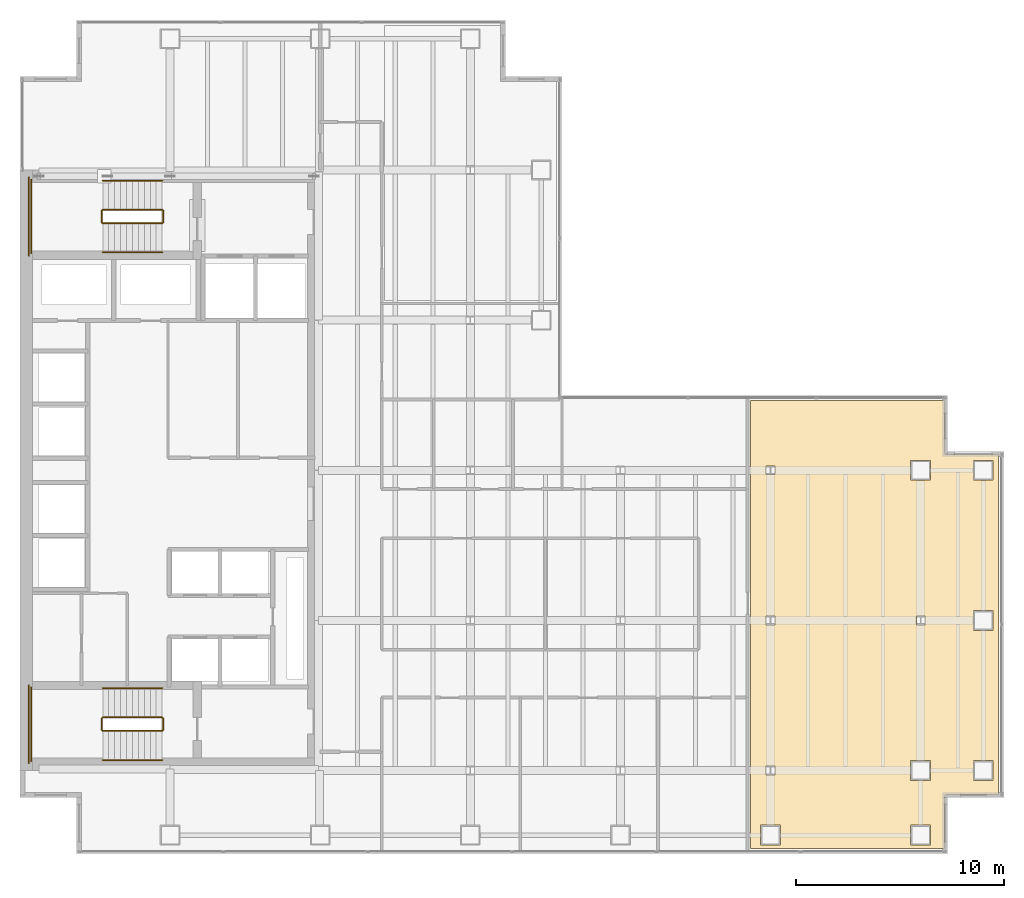
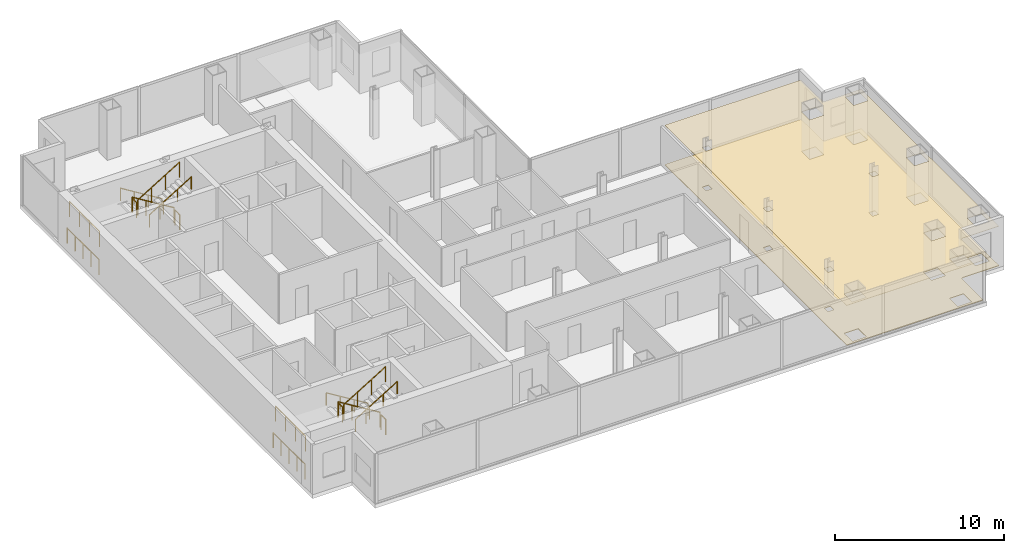
# One storey, part 23 of 24: 16 railings, 2 coverings.
"""IFC4 building model written with IfcOpenShell, lengths in metres."""

from ifc_helpers import new_model, si_unit, direction, frame, origin, origin_2d, place, context, subcontext, project, spatial, polyline, circle, outline, extrude, material, layer, layer_set, type_object, element, save


model = new_model("IFC4")

# Units and contexts
model_context = context("Model", 3, precision=1e-05, world=origin(), true_north=direction((0.0, 1.0)))
body_context = subcontext(model_context, "Body", "Model", "MODEL_VIEW")
ifc_project = project(units=[si_unit("LENGTHUNIT", "METRE"), si_unit("AREAUNIT", "SQUARE_METRE"), si_unit("VOLUMEUNIT", "CUBIC_METRE"), si_unit("PLANEANGLEUNIT", "RADIAN"), si_unit("MASSUNIT", "GRAM", prefix="KILO")], contexts=[model_context])

# Site, building, storey
site_placement = place(None, origin())
site = spatial("IfcSite", under=ifc_project, at=site_placement, CompositionType="ELEMENT")
building_placement = place(site_placement, origin())
building = spatial("IfcBuilding", under=site, at=building_placement, Name="Cobrela Telecom Tower", CompositionType="ELEMENT")
storey_placement = place(building_placement, frame((0.0, 0.0, 106.050048828125)))
storey = spatial("IfcBuildingStorey", under=building, at=storey_placement, Name="L26", CompositionType="ELEMENT", Elevation=106.050048828125)

# Coverings
ifc_material_1 = material(Name="Mineral Fibre Acoustic Ceiling Tile")
ifc_layer_1 = layer(ifc_material_1, 0.02490234375)
ifc_layer_set_1 = layer_set([ifc_layer_1], Name="Mineral Fibre Acoustic Ceiling Tile")
covering_type_1 = type_object("IfcCoveringType", Name="COV-CEIL-ACT", PredefinedType="CEILING", material=ifc_layer_set_1)
covering_1_placement = place(storey_placement, frame((0.0, 0.0, 2.85986328125)))
element("IfcCovering", 1, at=covering_1_placement, inside=storey, type_object=covering_type_1, Name="L26 Systems Engineering Studio 7 Suspended Acoustic Ceiling", PredefinedType="CEILING", context=body_context, shape_type="SweptSolid", body=[
    extrude(outline(polyline([(44.462646484375, 6.04736328125), (44.449462890625, 6.0439453125), (44.436279296875, 6.039306640625), (44.424072265625, 6.033447265625), (44.412109375, 6.0263671875), (44.401123046875, 6.018310546875), (44.39111328125, 6.009033203125), (44.381591796875, 5.998779296875), (44.37353515625, 5.98779296875), (44.366455078125, 5.97607421875), (44.360595703125, 5.963623046875), (44.35595703125, 5.95068359375), (44.3525390625, 5.937255859375), (44.3505859375, 5.923583984375), (44.35009765625, 5.910888671875), (44.35009765625, 3.4599609375), (35.0400390625, 3.4599609375), (35.0400390625, 24.93994140625), (44.35009765625, 24.93994140625), (44.35009765625, 22.489013671875), (44.3505859375, 22.476318359375), (44.3525390625, 22.462646484375), (44.35595703125, 22.449462890625), (44.360595703125, 22.436279296875), (44.366455078125, 22.424072265625), (44.37353515625, 22.412109375), (44.381591796875, 22.401123046875), (44.39111328125, 22.39111328125), (44.401123046875, 22.381591796875), (44.412109375, 22.37353515625), (44.424072265625, 22.366455078125), (44.436279296875, 22.360595703125), (44.449462890625, 22.35595703125), (44.462646484375, 22.3525390625), (44.476318359375, 22.3505859375), (44.489013671875, 22.35009765625), (46.93994140625, 22.35009765625), (46.93994140625, 6.050048828125), (44.489013671875, 6.050048828125), (44.476318359375, 6.04931640625), (44.462646484375, 6.04736328125)]), holes=[polyline([(36.47509765625, 3.625), (36.47509765625, 4.574951171875), (35.52490234375, 4.574951171875), (35.52490234375, 3.625), (36.47509765625, 3.625)]), polyline([(43.675048828125, 3.625), (43.675048828125, 4.574951171875), (42.72509765625, 4.574951171875), (42.72509765625, 3.625), (43.675048828125, 3.625)]), polyline([(36.20458984375, 6.988037109375), (36.20458984375, 7.412109375), (35.79541015625, 7.412109375), (35.79541015625, 6.988037109375), (36.20458984375, 6.988037109375)]), polyline([(43.675048828125, 6.72509765625), (43.675048828125, 7.675048828125), (42.72509765625, 7.675048828125), (42.72509765625, 6.72509765625), (43.675048828125, 6.72509765625)]), polyline([(46.675048828125, 6.72509765625), (46.675048828125, 7.675048828125), (45.72509765625, 7.675048828125), (45.72509765625, 6.72509765625), (46.675048828125, 6.72509765625)]), polyline([(36.20458984375, 14.612060546875), (35.79541015625, 14.612060546875), (35.79541015625, 14.18798828125), (36.20458984375, 14.18798828125), (36.20458984375, 14.612060546875)]), polyline([(43.404541015625, 14.18798828125), (43.404541015625, 14.612060546875), (42.99560546875, 14.612060546875), (42.99560546875, 14.18798828125), (43.404541015625, 14.18798828125)]), polyline([(46.675048828125, 13.925048828125), (46.675048828125, 14.875), (45.72509765625, 14.875), (45.72509765625, 13.925048828125), (46.675048828125, 13.925048828125)]), polyline([(36.20458984375, 21.387939453125), (36.20458984375, 21.81201171875), (35.79541015625, 21.81201171875), (35.79541015625, 21.387939453125), (36.20458984375, 21.387939453125)]), polyline([(43.675048828125, 21.125), (43.675048828125, 22.074951171875), (42.72509765625, 22.074951171875), (42.72509765625, 21.125), (43.675048828125, 21.125)]), polyline([(46.675048828125, 21.125), (46.675048828125, 22.074951171875), (45.72509765625, 22.074951171875), (45.72509765625, 21.125), (46.675048828125, 21.125)])]), origin(), (0.0, 0.0, 1.0), 0.025146484375),
])
ifc_material_2 = material(Name="Honed Colombian Basalt Stone", Category="masonry")
ifc_layer_2 = layer(ifc_material_2, 0.0400390625)
ifc_layer_set_2 = layer_set([ifc_layer_2], Name="Honed Colombian Basalt Stone")
covering_type_2 = type_object("IfcCoveringType", Name="COV-FLR-STONE", PredefinedType="FLOORING", material=ifc_layer_set_2)
covering_2_placement = place(storey_placement, origin())
element("IfcCovering", 2, at=covering_2_placement, inside=storey, type_object=covering_type_2, Name="L26 Systems Engineering Studio 7 Raised Technical Flooring", PredefinedType="FLOORING", context=body_context, shape_type="SweptSolid", body=[
    extrude(outline(polyline([(44.462646484375, 6.04736328125), (44.449462890625, 6.0439453125), (44.436279296875, 6.039306640625), (44.424072265625, 6.033447265625), (44.412109375, 6.0263671875), (44.401123046875, 6.018310546875), (44.39111328125, 6.009033203125), (44.381591796875, 5.998779296875), (44.37353515625, 5.98779296875), (44.366455078125, 5.97607421875), (44.360595703125, 5.963623046875), (44.35595703125, 5.95068359375), (44.3525390625, 5.937255859375), (44.3505859375, 5.923583984375), (44.35009765625, 5.910888671875), (44.35009765625, 3.4599609375), (35.0400390625, 3.4599609375), (35.0400390625, 24.93994140625), (44.35009765625, 24.93994140625), (44.35009765625, 22.489013671875), (44.3505859375, 22.476318359375), (44.3525390625, 22.462646484375), (44.35595703125, 22.449462890625), (44.360595703125, 22.436279296875), (44.366455078125, 22.424072265625), (44.37353515625, 22.412109375), (44.381591796875, 22.401123046875), (44.39111328125, 22.39111328125), (44.401123046875, 22.381591796875), (44.412109375, 22.37353515625), (44.424072265625, 22.366455078125), (44.436279296875, 22.360595703125), (44.449462890625, 22.35595703125), (44.462646484375, 22.3525390625), (44.476318359375, 22.3505859375), (44.489013671875, 22.35009765625), (46.93994140625, 22.35009765625), (46.93994140625, 6.050048828125), (44.489013671875, 6.050048828125), (44.476318359375, 6.04931640625), (44.462646484375, 6.04736328125)]), holes=[polyline([(36.47509765625, 3.625), (36.47509765625, 4.574951171875), (35.52490234375, 4.574951171875), (35.52490234375, 3.625), (36.47509765625, 3.625)]), polyline([(43.675048828125, 3.625), (43.675048828125, 4.574951171875), (42.72509765625, 4.574951171875), (42.72509765625, 3.625), (43.675048828125, 3.625)]), polyline([(36.20458984375, 6.988037109375), (36.20458984375, 7.412109375), (35.79541015625, 7.412109375), (35.79541015625, 6.988037109375), (36.20458984375, 6.988037109375)]), polyline([(43.675048828125, 6.72509765625), (43.675048828125, 7.675048828125), (42.72509765625, 7.675048828125), (42.72509765625, 6.72509765625), (43.675048828125, 6.72509765625)]), polyline([(46.675048828125, 6.72509765625), (46.675048828125, 7.675048828125), (45.72509765625, 7.675048828125), (45.72509765625, 6.72509765625), (46.675048828125, 6.72509765625)]), polyline([(36.20458984375, 14.612060546875), (35.79541015625, 14.612060546875), (35.79541015625, 14.18798828125), (36.20458984375, 14.18798828125), (36.20458984375, 14.612060546875)]), polyline([(43.404541015625, 14.18798828125), (43.404541015625, 14.612060546875), (42.99560546875, 14.612060546875), (42.99560546875, 14.18798828125), (43.404541015625, 14.18798828125)]), polyline([(46.675048828125, 13.925048828125), (46.675048828125, 14.875), (45.72509765625, 14.875), (45.72509765625, 13.925048828125), (46.675048828125, 13.925048828125)]), polyline([(36.20458984375, 21.387939453125), (36.20458984375, 21.81201171875), (35.79541015625, 21.81201171875), (35.79541015625, 21.387939453125), (36.20458984375, 21.387939453125)]), polyline([(43.675048828125, 21.125), (43.675048828125, 22.074951171875), (42.72509765625, 22.074951171875), (42.72509765625, 21.125), (43.675048828125, 21.125)]), polyline([(46.675048828125, 21.125), (46.675048828125, 22.074951171875), (45.72509765625, 22.074951171875), (45.72509765625, 21.125), (46.675048828125, 21.125)])]), origin(), (0.0, 0.0, 1.0), 0.0400390625),
])

# Railings
ifc_material_3 = material(Name="Steel ASTM A36", Category="steel")
railing_type_1 = type_object("IfcRailingType", Name="RAIL-GUARD-1100", PredefinedType="GUARDRAIL", material=ifc_material_3)
railing_1_placement = place(storey_placement, frame((6.820068359375, 34.10009765625, 0.175048828125)))
element("IfcRailing", 3, at=railing_1_placement, inside=storey, type_object=railing_type_1, Name="L26 ST1 stair guard 1", PredefinedType="GUARDRAIL", context=body_context, shape_type="SweptSolid", body=[
    extrude(circle(Radius=0.02392578125, at=origin_2d()), frame((0.0, 0.0, 1.076171875), z_axis=(-0.852179220489, 0.0, 0.52325001306), x_axis=(0.0, -1.0, 0.0)), (0.0, 0.0, 1.0), 3.344482421875),
    extrude(circle(Radius=0.02099609375, at=origin_2d()), origin(), (0.0, 0.0, 1.0), 1.052001953125),
    extrude(circle(Radius=0.02099609375, at=origin_2d()), frame((-0.949951171875, 0.0, 0.583251953125)), (0.0, 0.0, 1.0), 1.052001953125),
    extrude(circle(Radius=0.02099609375, at=origin_2d()), frame((-1.900146484375, 0.0, 1.166748046875)), (0.0, 0.0, 1.0), 1.052001953125),
    extrude(circle(Radius=0.02099609375, at=origin_2d()), frame((-2.85009765625, 0.0, 1.75)), (0.0, 0.0, 1.0), 1.052001953125),
])
railing_2_placement = place(storey_placement, frame((3.919921875, 34.050048828125, 1.925048828125)))
element("IfcRailing", 4, at=railing_2_placement, inside=storey, type_object=railing_type_1, Name="L26 ST1 stair guard 2", PredefinedType="GUARDRAIL", context=body_context, shape_type="SweptSolid", body=[
    extrude(circle(Radius=0.02392578125, at=origin_2d()), frame((0.0, 0.0, 1.076171875), z_axis=(0.0, -1.0, 0.0), x_axis=(1.0, 0.0, 0.0)), (0.0, 0.0, 1.0), 0.550048828125),
    extrude(circle(Radius=0.02099609375, at=origin_2d()), origin(), (0.0, 0.0, 1.0), 1.052001953125),
    extrude(circle(Radius=0.02099609375, at=origin_2d()), frame((0.0, -0.550048828125, 0.0)), (0.0, 0.0, 1.0), 1.052001953125),
])
railing_3_placement = place(storey_placement, frame((0.530029296875, 35.550048828125, 1.925048828125)))
element("IfcRailing", 5, at=railing_3_placement, inside=storey, type_object=railing_type_1, Name="L26 ST1 stair guard 3", PredefinedType="GUARDRAIL", context=body_context, shape_type="SweptSolid", body=[
    extrude(circle(Radius=0.02392578125, at=origin_2d()), frame((0.0, 0.0, 1.076171875), z_axis=(0.0, -1.0, 0.0), x_axis=(1.0, 0.0, 0.0)), (0.0, 0.0, 1.0), 3.550048828125),
    extrude(circle(Radius=0.02099609375, at=origin_2d()), origin(), (0.0, 0.0, 1.0), 1.052001953125),
    extrude(circle(Radius=0.02099609375, at=origin_2d()), frame((0.0, -1.183349609375, 0.0)), (0.0, 0.0, 1.0), 1.052001953125),
    extrude(circle(Radius=0.02099609375, at=origin_2d()), frame((0.0, -2.36669921875, 0.0)), (0.0, 0.0, 1.0), 1.052001953125),
    extrude(circle(Radius=0.02099609375, at=origin_2d()), frame((0.0, -3.550048828125, 0.0)), (0.0, 0.0, 1.0), 1.052001953125),
])
railing_4_placement = place(storey_placement, frame((3.969970703125, 33.449951171875, 2.099853515625)))
element("IfcRailing", 6, at=railing_4_placement, inside=storey, type_object=railing_type_1, Name="L26 ST1 stair guard 4", PredefinedType="GUARDRAIL", context=body_context, shape_type="SweptSolid", body=[
    extrude(circle(Radius=0.02392578125, at=origin_2d()), frame((0.0, 0.0, 1.076171875), z_axis=(0.852179220489, 0.0, 0.52325001306), x_axis=(0.0, 1.0, 0.0)), (0.0, 0.0, 1.0), 3.344482421875),
    extrude(circle(Radius=0.02099609375, at=origin_2d()), origin(), (0.0, 0.0, 1.0), 1.052001953125),
    extrude(circle(Radius=0.02099609375, at=origin_2d()), frame((0.949951171875, 0.0, 0.583251953125)), (0.0, 0.0, 1.0), 1.052001953125),
    extrude(circle(Radius=0.02099609375, at=origin_2d()), frame((1.900146484375, 0.0, 1.166748046875)), (0.0, 0.0, 1.0), 1.052001953125),
    extrude(circle(Radius=0.02099609375, at=origin_2d()), frame((2.85009765625, 0.0, 1.75)), (0.0, 0.0, 1.0), 1.052001953125),
])
railing_5_placement = place(storey_placement, frame((6.8701171875, 34.050048828125, 0.0)))
element("IfcRailing", 7, at=railing_5_placement, inside=storey, type_object=railing_type_1, Name="L26 ST1 stair guard 5", PredefinedType="GUARDRAIL", context=body_context, shape_type="SweptSolid", body=[
    extrude(circle(Radius=0.02392578125, at=origin_2d()), frame((0.0, 0.0, 1.076171875), z_axis=(0.0, -1.0, 0.0), x_axis=(1.0, 0.0, 0.0)), (0.0, 0.0, 1.0), 0.550048828125),
    extrude(circle(Radius=0.02099609375, at=origin_2d()), origin(), (0.0, 0.0, 1.0), 1.052001953125),
    extrude(circle(Radius=0.02099609375, at=origin_2d()), frame((0.0, -0.550048828125, 0.0)), (0.0, 0.0, 1.0), 1.052001953125),
])
railing_6_placement = place(storey_placement, frame((0.429931640625, 35.64990234375, 0.0)))
element("IfcRailing", 8, at=railing_6_placement, inside=storey, type_object=railing_type_1, Name="L26 ST1 stair guard 6", PredefinedType="GUARDRAIL", context=body_context, shape_type="SweptSolid", body=[
    extrude(circle(Radius=0.02392578125, at=origin_2d()), frame((0.0, 0.0, 1.076171875), z_axis=(0.0, -1.0, 0.0), x_axis=(1.0, 0.0, 0.0)), (0.0, 0.0, 1.0), 3.75),
    extrude(circle(Radius=0.02099609375, at=origin_2d()), origin(), (0.0, 0.0, 1.0), 1.052001953125),
    extrude(circle(Radius=0.02099609375, at=origin_2d()), frame((0.0, -0.9375, 0.0)), (0.0, 0.0, 1.0), 1.052001953125),
    extrude(circle(Radius=0.02099609375, at=origin_2d()), frame((0.0, -1.875, 0.0)), (0.0, 0.0, 1.0), 1.052001953125),
    extrude(circle(Radius=0.02099609375, at=origin_2d()), frame((0.0, -2.8125, 0.0)), (0.0, 0.0, 1.0), 1.052001953125),
    extrude(circle(Radius=0.02099609375, at=origin_2d()), frame((0.0, -3.75, 0.0)), (0.0, 0.0, 1.0), 1.052001953125),
])
railing_7_placement = place(storey_placement, frame((6.820068359375, 9.75, 0.175048828125)))
element("IfcRailing", 9, at=railing_7_placement, inside=storey, type_object=railing_type_1, Name="L26 ST2 stair guard 1", PredefinedType="GUARDRAIL", context=body_context, shape_type="SweptSolid", body=[
    extrude(circle(Radius=0.02392578125, at=origin_2d()), frame((0.0, 0.0, 1.076171875), z_axis=(-0.852179220489, 0.0, 0.52325001306), x_axis=(0.0, -1.0, 0.0)), (0.0, 0.0, 1.0), 3.344482421875),
    extrude(circle(Radius=0.02099609375, at=origin_2d()), origin(), (0.0, 0.0, 1.0), 1.052001953125),
    extrude(circle(Radius=0.02099609375, at=origin_2d()), frame((-0.949951171875, 0.0, 0.583251953125)), (0.0, 0.0, 1.0), 1.052001953125),
    extrude(circle(Radius=0.02099609375, at=origin_2d()), frame((-1.900146484375, 0.0, 1.166748046875)), (0.0, 0.0, 1.0), 1.052001953125),
    extrude(circle(Radius=0.02099609375, at=origin_2d()), frame((-2.85009765625, 0.0, 1.75)), (0.0, 0.0, 1.0), 1.052001953125),
])
railing_8_placement = place(storey_placement, frame((3.919921875, 9.699951171875, 1.925048828125)))
element("IfcRailing", 10, at=railing_8_placement, inside=storey, type_object=railing_type_1, Name="L26 ST2 stair guard 2", PredefinedType="GUARDRAIL", context=body_context, shape_type="SweptSolid", body=[
    extrude(circle(Radius=0.02392578125, at=origin_2d()), frame((0.0, 0.0, 1.076171875), z_axis=(0.0, -1.0, 0.0), x_axis=(1.0, 0.0, 0.0)), (0.0, 0.0, 1.0), 0.550048828125),
    extrude(circle(Radius=0.02099609375, at=origin_2d()), origin(), (0.0, 0.0, 1.0), 1.052001953125),
    extrude(circle(Radius=0.02099609375, at=origin_2d()), frame((0.0, -0.550048828125, 0.0)), (0.0, 0.0, 1.0), 1.052001953125),
])
railing_9_placement = place(storey_placement, frame((0.530029296875, 11.199951171875, 1.925048828125)))
element("IfcRailing", 11, at=railing_9_placement, inside=storey, type_object=railing_type_1, Name="L26 ST2 stair guard 3", PredefinedType="GUARDRAIL", context=body_context, shape_type="SweptSolid", body=[
    extrude(circle(Radius=0.02392578125, at=origin_2d()), frame((0.0, 0.0, 1.076171875), z_axis=(0.0, -1.0, 0.0), x_axis=(1.0, 0.0, 0.0)), (0.0, 0.0, 1.0), 3.550048828125),
    extrude(circle(Radius=0.02099609375, at=origin_2d()), origin(), (0.0, 0.0, 1.0), 1.052001953125),
    extrude(circle(Radius=0.02099609375, at=origin_2d()), frame((0.0, -1.183349609375, 0.0)), (0.0, 0.0, 1.0), 1.052001953125),
    extrude(circle(Radius=0.02099609375, at=origin_2d()), frame((0.0, -2.36669921875, 0.0)), (0.0, 0.0, 1.0), 1.052001953125),
    extrude(circle(Radius=0.02099609375, at=origin_2d()), frame((0.0, -3.550048828125, 0.0)), (0.0, 0.0, 1.0), 1.052001953125),
])
railing_10_placement = place(storey_placement, frame((3.969970703125, 9.10009765625, 2.099853515625)))
element("IfcRailing", 12, at=railing_10_placement, inside=storey, type_object=railing_type_1, Name="L26 ST2 stair guard 4", PredefinedType="GUARDRAIL", context=body_context, shape_type="SweptSolid", body=[
    extrude(circle(Radius=0.02392578125, at=origin_2d()), frame((0.0, 0.0, 1.076171875), z_axis=(0.852179220489, 0.0, 0.52325001306), x_axis=(0.0, 1.0, 0.0)), (0.0, 0.0, 1.0), 3.344482421875),
    extrude(circle(Radius=0.02099609375, at=origin_2d()), origin(), (0.0, 0.0, 1.0), 1.052001953125),
    extrude(circle(Radius=0.02099609375, at=origin_2d()), frame((0.949951171875, 0.0, 0.583251953125)), (0.0, 0.0, 1.0), 1.052001953125),
    extrude(circle(Radius=0.02099609375, at=origin_2d()), frame((1.900146484375, 0.0, 1.166748046875)), (0.0, 0.0, 1.0), 1.052001953125),
    extrude(circle(Radius=0.02099609375, at=origin_2d()), frame((2.85009765625, 0.0, 1.75)), (0.0, 0.0, 1.0), 1.052001953125),
])
railing_11_placement = place(storey_placement, frame((6.8701171875, 9.699951171875, 0.0)))
element("IfcRailing", 13, at=railing_11_placement, inside=storey, type_object=railing_type_1, Name="L26 ST2 stair guard 5", PredefinedType="GUARDRAIL", context=body_context, shape_type="SweptSolid", body=[
    extrude(circle(Radius=0.02392578125, at=origin_2d()), frame((0.0, 0.0, 1.076171875), z_axis=(0.0, -1.0, 0.0), x_axis=(1.0, 0.0, 0.0)), (0.0, 0.0, 1.0), 0.550048828125),
    extrude(circle(Radius=0.02099609375, at=origin_2d()), origin(), (0.0, 0.0, 1.0), 1.052001953125),
    extrude(circle(Radius=0.02099609375, at=origin_2d()), frame((0.0, -0.550048828125, 0.0)), (0.0, 0.0, 1.0), 1.052001953125),
])
railing_12_placement = place(storey_placement, frame((0.429931640625, 11.300048828125, 0.0)))
element("IfcRailing", 14, at=railing_12_placement, inside=storey, type_object=railing_type_1, Name="L26 ST2 stair guard 6", PredefinedType="GUARDRAIL", context=body_context, shape_type="SweptSolid", body=[
    extrude(circle(Radius=0.02392578125, at=origin_2d()), frame((0.0, 0.0, 1.076171875), z_axis=(0.0, -1.0, 0.0), x_axis=(1.0, 0.0, 0.0)), (0.0, 0.0, 1.0), 3.75),
    extrude(circle(Radius=0.02099609375, at=origin_2d()), origin(), (0.0, 0.0, 1.0), 1.052001953125),
    extrude(circle(Radius=0.02099609375, at=origin_2d()), frame((0.0, -0.9375, 0.0)), (0.0, 0.0, 1.0), 1.052001953125),
    extrude(circle(Radius=0.02099609375, at=origin_2d()), frame((0.0, -1.875, 0.0)), (0.0, 0.0, 1.0), 1.052001953125),
    extrude(circle(Radius=0.02099609375, at=origin_2d()), frame((0.0, -2.8125, 0.0)), (0.0, 0.0, 1.0), 1.052001953125),
    extrude(circle(Radius=0.02099609375, at=origin_2d()), frame((0.0, -3.75, 0.0)), (0.0, 0.0, 1.0), 1.052001953125),
])
railing_type_2 = type_object("IfcRailingType", Name="RAIL-HAND-920", PredefinedType="HANDRAIL", material=ifc_material_3)
railing_13_placement = place(storey_placement, frame((6.820068359375, 35.5, 0.175048828125)))
element("IfcRailing", 15, at=railing_13_placement, inside=storey, type_object=railing_type_2, Name="L26 ST1 stair handrail 1", PredefinedType="HANDRAIL", context=body_context, shape_type="SweptSolid", body=[
    extrude(circle(Radius=0.02392578125, at=origin_2d()), frame((0.0, 0.0, 0.8759765625), z_axis=(-0.852179220489, 0.0, 0.52325001306), x_axis=(0.0, -1.0, 0.0)), (0.0, 0.0, 1.0), 3.344482421875),
    extrude(circle(Radius=0.02099609375, at=origin_2d()), origin(), (0.0, 0.0, 1.0), 0.851806640625),
    extrude(circle(Radius=0.02099609375, at=origin_2d()), frame((-0.949951171875, 0.0, 0.583251953125)), (0.0, 0.0, 1.0), 0.851806640625),
    extrude(circle(Radius=0.02099609375, at=origin_2d()), frame((-1.900146484375, 0.0, 1.166748046875)), (0.0, 0.0, 1.0), 0.851806640625),
    extrude(circle(Radius=0.02099609375, at=origin_2d()), frame((-2.85009765625, 0.0, 1.75)), (0.0, 0.0, 1.0), 0.851806640625),
])
railing_14_placement = place(storey_placement, frame((3.969970703125, 32.050048828125, 2.099853515625)))
element("IfcRailing", 16, at=railing_14_placement, inside=storey, type_object=railing_type_2, Name="L26 ST1 stair handrail 2", PredefinedType="HANDRAIL", context=body_context, shape_type="SweptSolid", body=[
    extrude(circle(Radius=0.02392578125, at=origin_2d()), frame((0.0, 0.0, 0.8759765625), z_axis=(0.852179220489, 0.0, 0.52325001306), x_axis=(0.0, 1.0, 0.0)), (0.0, 0.0, 1.0), 3.344482421875),
    extrude(circle(Radius=0.02099609375, at=origin_2d()), origin(), (0.0, 0.0, 1.0), 0.851806640625),
    extrude(circle(Radius=0.02099609375, at=origin_2d()), frame((0.949951171875, 0.0, 0.583251953125)), (0.0, 0.0, 1.0), 0.851806640625),
    extrude(circle(Radius=0.02099609375, at=origin_2d()), frame((1.900146484375, 0.0, 1.166748046875)), (0.0, 0.0, 1.0), 0.851806640625),
    extrude(circle(Radius=0.02099609375, at=origin_2d()), frame((2.85009765625, 0.0, 1.75)), (0.0, 0.0, 1.0), 0.851806640625),
])
railing_15_placement = place(storey_placement, frame((6.820068359375, 11.14990234375, 0.175048828125)))
element("IfcRailing", 17, at=railing_15_placement, inside=storey, type_object=railing_type_2, Name="L26 ST2 stair handrail 1", PredefinedType="HANDRAIL", context=body_context, shape_type="SweptSolid", body=[
    extrude(circle(Radius=0.02392578125, at=origin_2d()), frame((0.0, 0.0, 0.8759765625), z_axis=(-0.852179220489, 0.0, 0.52325001306), x_axis=(0.0, -1.0, 0.0)), (0.0, 0.0, 1.0), 3.344482421875),
    extrude(circle(Radius=0.02099609375, at=origin_2d()), origin(), (0.0, 0.0, 1.0), 0.851806640625),
    extrude(circle(Radius=0.02099609375, at=origin_2d()), frame((-0.949951171875, 0.0, 0.583251953125)), (0.0, 0.0, 1.0), 0.851806640625),
    extrude(circle(Radius=0.02099609375, at=origin_2d()), frame((-1.900146484375, 0.0, 1.166748046875)), (0.0, 0.0, 1.0), 0.851806640625),
    extrude(circle(Radius=0.02099609375, at=origin_2d()), frame((-2.85009765625, 0.0, 1.75)), (0.0, 0.0, 1.0), 0.851806640625),
])
railing_16_placement = place(storey_placement, frame((3.969970703125, 7.699951171875, 2.099853515625)))
element("IfcRailing", 18, at=railing_16_placement, inside=storey, type_object=railing_type_2, Name="L26 ST2 stair handrail 2", PredefinedType="HANDRAIL", context=body_context, shape_type="SweptSolid", body=[
    extrude(circle(Radius=0.02392578125, at=origin_2d()), frame((0.0, 0.0, 0.8759765625), z_axis=(0.852179220489, 0.0, 0.52325001306), x_axis=(0.0, 1.0, 0.0)), (0.0, 0.0, 1.0), 3.344482421875),
    extrude(circle(Radius=0.02099609375, at=origin_2d()), origin(), (0.0, 0.0, 1.0), 0.851806640625),
    extrude(circle(Radius=0.02099609375, at=origin_2d()), frame((0.949951171875, 0.0, 0.583251953125)), (0.0, 0.0, 1.0), 0.851806640625),
    extrude(circle(Radius=0.02099609375, at=origin_2d()), frame((1.900146484375, 0.0, 1.166748046875)), (0.0, 0.0, 1.0), 0.851806640625),
    extrude(circle(Radius=0.02099609375, at=origin_2d()), frame((2.85009765625, 0.0, 1.75)), (0.0, 0.0, 1.0), 0.851806640625),
])

save(model, "model.ifc")
